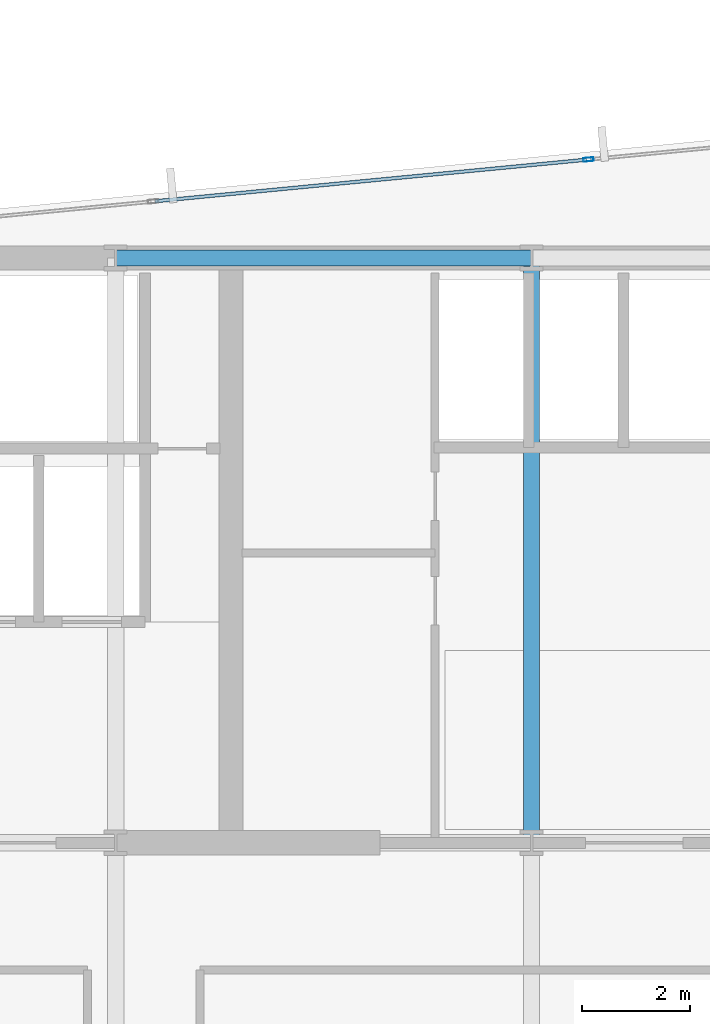
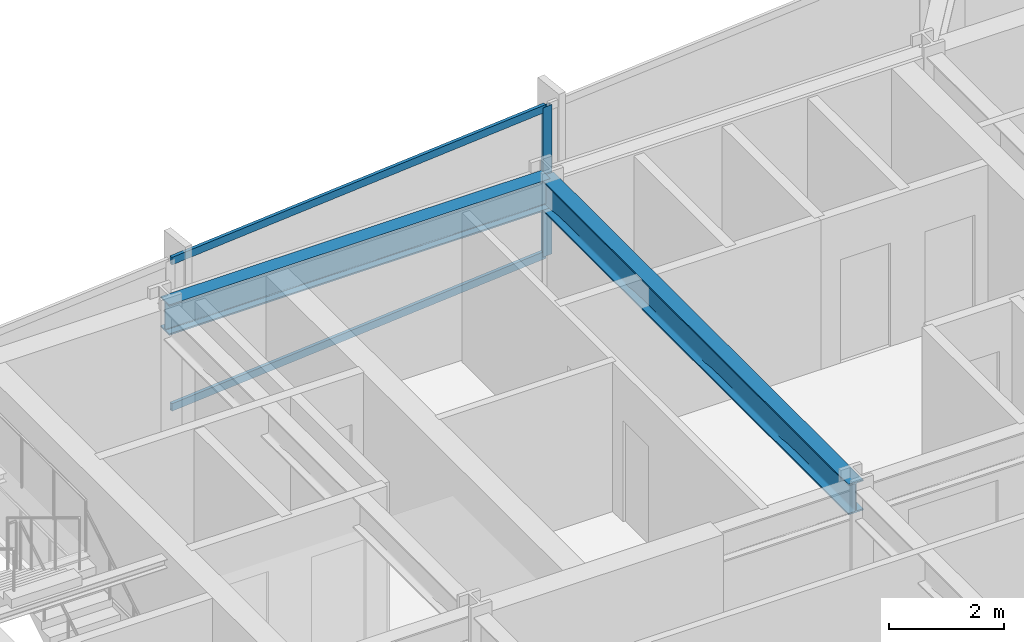
# One storey, part 19 of 32: 3 members, 2 beams, 1 element without a shape of its own.
"""IFC4 building model written with IfcOpenShell, lengths in metres."""

from ifc_helpers import new_model, si_unit, direction, frame, origin, origin_2d, place, context, subcontext, project, spatial, hollow_rectangle, i_section, extrude, material, material_profile, profile_set, type_object, element, aggregate, save


model = new_model("IFC4")

# Units and contexts
model_context = context("Model", 3, precision=1e-05, world=origin(), true_north=direction((0.0, 1.0)))
body_context = subcontext(model_context, "Body", "Model", "MODEL_VIEW")
ifc_project = project(units=[si_unit("LENGTHUNIT", "METRE"), si_unit("AREAUNIT", "SQUARE_METRE"), si_unit("VOLUMEUNIT", "CUBIC_METRE"), si_unit("PLANEANGLEUNIT", "RADIAN"), si_unit("MASSUNIT", "GRAM", prefix="KILO")], contexts=[model_context])

# Site, building, storey
site_placement = place(None, origin())
site = spatial("IfcSite", under=ifc_project, at=site_placement, CompositionType="ELEMENT")
building_placement = place(site_placement, origin())
building = spatial("IfcBuilding", under=site, at=building_placement, Name="Yelkora Congress Tower", CompositionType="ELEMENT")
storey_placement = place(building_placement, frame((0.0, 0.0, 130.5)))
storey = spatial("IfcBuildingStorey", under=building, at=storey_placement, Name="L35", CompositionType="ELEMENT", Elevation=130.5)

# Beams
ifc_material_1 = material(Name="Steel S355J2", Category="steel")
ifc_material_profile_1 = material_profile(ifc_material_1, i_section(OverallWidth=0.300048828125, OverallDepth=0.64990234375, WebThickness=0.01611328125, FlangeThickness=0.031005859375, FilletRadius=0.027099609375, at=origin_2d()), Name="HEB 650")
ifc_profile_set_1 = profile_set([ifc_material_profile_1], Name="Steel S355J2")
beam_type = type_object("IfcBeamType", Name="BM-GIRD-HEB650", PredefinedType="BEAM", material=ifc_profile_set_1)
beam_1_placement = place(storey_placement, frame((30.719970703125, 46.199951171875, 2.85498046875), z_axis=(1.0, 0.0, 0.0), x_axis=(0.0, 1.0, 0.0)))
element("IfcBeam", 1, at=beam_1_placement, inside=storey, type_object=beam_type, Name="L35 Core North Girder 3", PredefinedType="BEAM", context=body_context, shape_type="SweptSolid", body=[
    extrude(i_section(OverallWidth=0.300048828125, OverallDepth=0.64990234375, WebThickness=0.01611328125, FlangeThickness=0.031005859375, FilletRadius=0.027099609375, at=origin_2d()), origin(), (0.0, 0.0, 1.0), 7.679931640625),
])
beam_2_placement = place(storey_placement, frame((38.39990234375, 35.39990234375, 2.85498046875), z_axis=(0.0, 1.0, 0.0), x_axis=(-1.0, 0.0, 0.0)))
element("IfcBeam", 2, at=beam_2_placement, inside=storey, type_object=beam_type, Name="L35 Core Tie Girder MC-S3", PredefinedType="BEAM", context=body_context, shape_type="SweptSolid", body=[
    extrude(i_section(OverallWidth=0.300048828125, OverallDepth=0.64990234375, WebThickness=0.01611328125, FlangeThickness=0.031005859375, FilletRadius=0.027099609375, at=origin_2d()), origin(), (0.0, 0.0, 1.0), 10.800048828125),
])

# Curtain wall, members
ifc_material_2 = material(Name="Anodised aluminium and insulated glass", Category="aluminium")
curtain_wall_type = type_object("IfcCurtainWallType", Name="CW-SYS-B2", PredefinedType="NOTDEFINED", material=ifc_material_2)
curtain_wall_placement = place(storey_placement, origin())
curtain_wall = element("IfcCurtainWall", 3, at=curtain_wall_placement, inside=storey, type_object=curtain_wall_type, Name="L35 Unitised Curtain Wall 10 (3)", PredefinedType="NOTDEFINED")
ifc_material_3 = material(Name="Anodised aluminium 6063-T6", Category="aluminium")
ifc_material_profile_2 = material_profile(ifc_material_3, hollow_rectangle(XDim=0.070068359375, YDim=0.18994140625, WallThickness=0.00390625, at=origin_2d()), Name="ALU 70x190x4")
ifc_profile_set_2 = profile_set([ifc_material_profile_2], Name="Anodised aluminium 6063-T6")
member_type_1 = type_object("IfcMemberType", Name="MEM-ML-B2", PredefinedType="MULLION", material=ifc_profile_set_2)
member_1_placement = place(storey_placement, frame((39.451904296875, 48.018310546875, 0.0), z_axis=(0.0, 0.0, 1.0), x_axis=(-0.095844238468, 0.995396344153, 0.0)))
member_1 = element("IfcMember", 4, at=member_1_placement, type_object=member_type_1, Name="CW-B2 mullion 3", PredefinedType="MULLION", context=body_context, shape_type="SweptSolid", body=[
    extrude(hollow_rectangle(XDim=0.070068359375, YDim=0.18994140625, WallThickness=0.00390625, at=origin_2d()), origin(), (0.0, 0.0, 1.0), 3.179931640625),
])
ifc_material_profile_3 = material_profile(ifc_material_3, hollow_rectangle(XDim=0.06494140625, YDim=0.159912109375, WallThickness=0.00390625, at=origin_2d()), Name="ALU 65x160x4")
ifc_profile_set_3 = profile_set([ifc_material_profile_3], Name="Anodised aluminium 6063-T6")
member_type_2 = type_object("IfcMemberType", Name="MEM-TR-B2", PredefinedType="USERDEFINED", material=ifc_profile_set_3)
member_2_placement = place(storey_placement, frame((31.44677734375, 47.24755859375, 0.032470703125), z_axis=(0.995397793901, 0.09582918082, 0.0), x_axis=(-0.09582918082, 0.995397793901, 0.0)))
member_2 = element("IfcMember", 5, at=member_2_placement, type_object=member_type_2, Name="CW-B2 transom 2.1", ObjectType="TRANSOM", PredefinedType="USERDEFINED", context=body_context, shape_type="SweptSolid", body=[
    extrude(hollow_rectangle(XDim=0.06494140625, YDim=0.159912109375, WallThickness=0.00390625, at=origin_2d()), origin(), (0.0, 0.0, 1.0), 8.00732421875),
])
member_3_placement = place(storey_placement, frame((31.44677734375, 47.24755859375, 3.1474609375), z_axis=(0.995397793901, 0.09582918082, 0.0), x_axis=(-0.09582918082, 0.995397793901, 0.0)))
member_3 = element("IfcMember", 6, at=member_3_placement, type_object=member_type_2, Name="CW-B2 transom 2.2", ObjectType="TRANSOM", PredefinedType="USERDEFINED", context=body_context, shape_type="SweptSolid", body=[
    extrude(hollow_rectangle(XDim=0.06494140625, YDim=0.159912109375, WallThickness=0.00390625, at=origin_2d()), origin(), (0.0, 0.0, 1.0), 8.00732421875),
])
aggregate(curtain_wall, [member_1, member_2, member_3])

save(model, "model.ifc")
